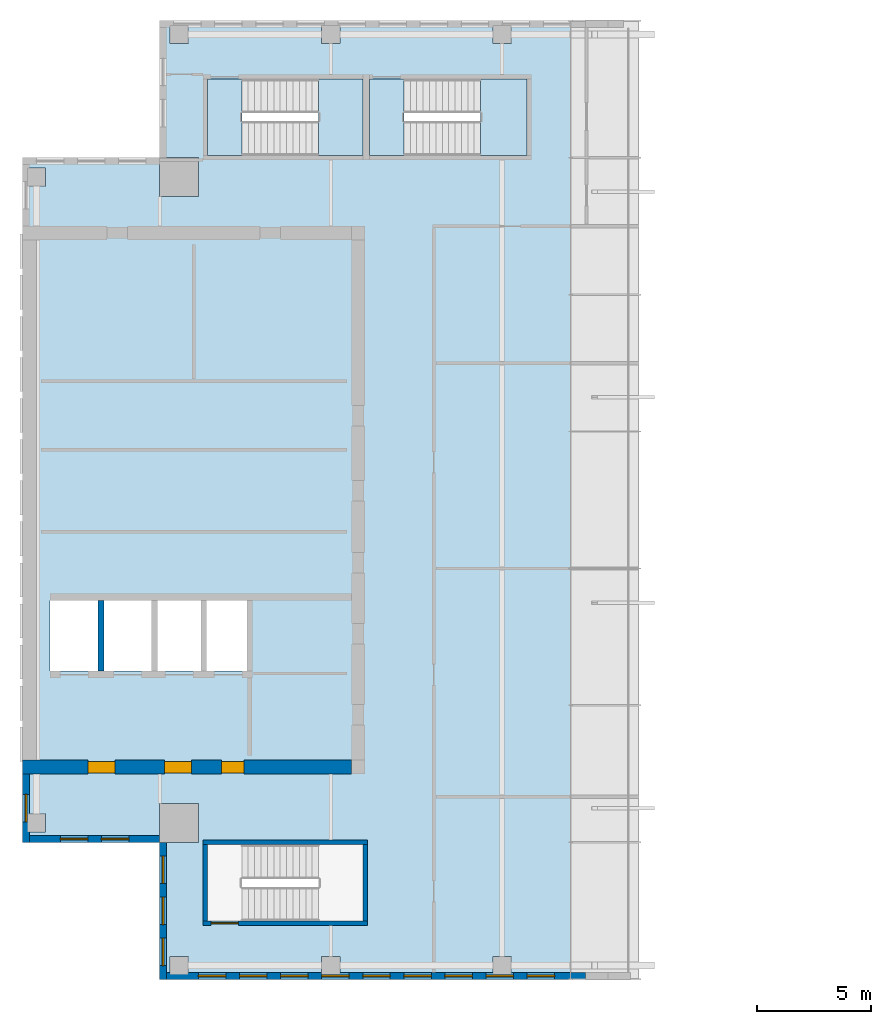
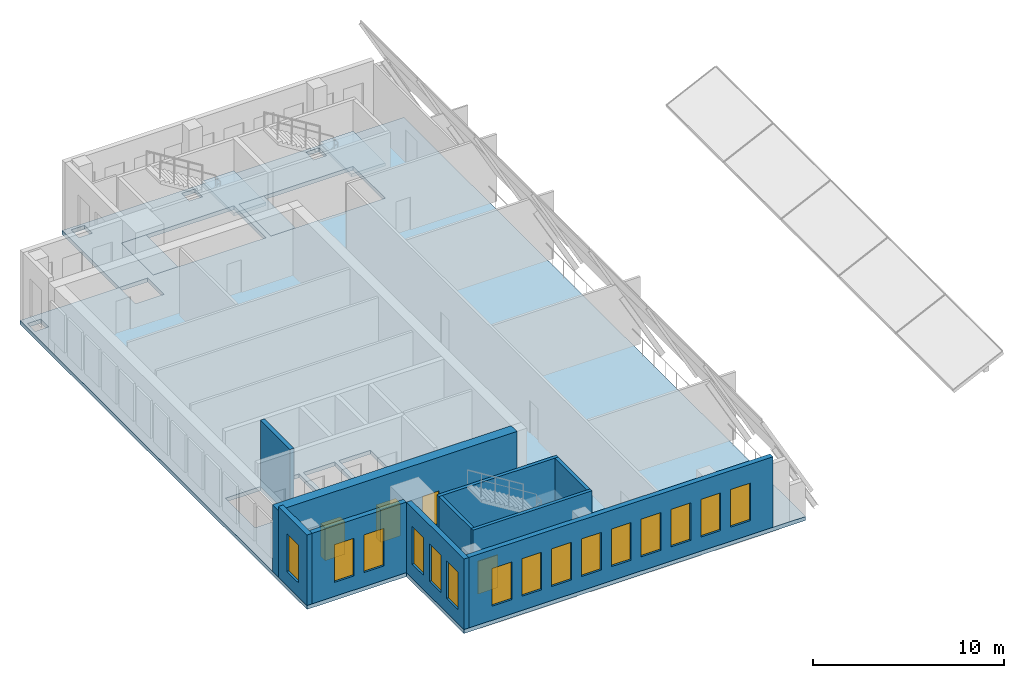
# One storey, part 3 of 7: 15 windows, 10 walls, 5 slabs, 4 doors, 19 openings, 2 elements without a shape of their own.
"""IFC4 building model written with IfcOpenShell, lengths in metres."""

from ifc_helpers import new_model, si_unit, direction, frame, frame_2d, origin, place, context, subcontext, project, spatial, polyline, rectangle, outline, extrude, source, transform, mapped, material, layer, layer_set, type_object, element, fill, aggregate, save


model = new_model("IFC4")

# Units and contexts
model_context = context("Model", 3, precision=1e-05, world=origin(), true_north=direction((0.0, 1.0)))
body_context = subcontext(model_context, "Body", "Model", "MODEL_VIEW")
ifc_project = project(units=[si_unit("LENGTHUNIT", "METRE"), si_unit("AREAUNIT", "SQUARE_METRE"), si_unit("VOLUMEUNIT", "CUBIC_METRE"), si_unit("PLANEANGLEUNIT", "RADIAN"), si_unit("MASSUNIT", "GRAM", prefix="KILO")], contexts=[model_context])

# Site, building, storey
site_placement = place(None, origin())
site = spatial("IfcSite", under=ifc_project, at=site_placement, CompositionType="ELEMENT")
building_placement = place(site_placement, origin())
building = spatial("IfcBuilding", under=site, at=building_placement, Name="Khomas Fold Tower", CompositionType="ELEMENT")
storey_placement = place(building_placement, frame((0.0, 0.0, 339.199951171875)))
storey = spatial("IfcBuildingStorey", under=building, at=storey_placement, Name="C3", CompositionType="ELEMENT", Elevation=339.199951171875)

# Slab
ifc_material_1 = material(Name="Concrete C40/50", Category="concrete")
ifc_layer_1 = layer(ifc_material_1, 0.25)
ifc_layer_set_1 = layer_set([ifc_layer_1], Name="Concrete C40/50")
slab_type_1 = type_object("IfcSlabType", Name="RC floor slab 250", PredefinedType="FLOOR", material=ifc_layer_set_1)
shared_shape_1 = source(origin(), body_context, "Body", "SweptSolid", [
    extrude(outline(polyline([(6.0, 12.0), (11.9951171875, 12.0), (11.9951171875, 13.705078125), (13.705078125, 13.705078125), (13.705078125, 11.9951171875), (12.0, 11.9951171875), (12.0, 6.0), (32.626708984375, 6.0), (32.626708984375, 48.0), (12.0, 48.0), (12.0, 42.0048828125), (13.705078125, 42.0048828125), (13.705078125, 40.294921875), (11.9951171875, 40.294921875), (11.9951171875, 42.0), (6.0, 42.0), (6.0, 12.0)]), holes=[polyline([(6.195068359375, 12.445068359375), (6.195068359375, 13.2548828125), (7.0048828125, 13.2548828125), (7.0048828125, 12.445068359375), (6.195068359375, 12.445068359375)]), polyline([(6.195068359375, 40.7451171875), (6.195068359375, 41.554931640625), (7.0048828125, 41.554931640625), (7.0048828125, 40.7451171875), (6.195068359375, 40.7451171875)]), polyline([(7.199951171875, 19.5), (7.199951171875, 22.60009765625), (9.300048828125, 22.60009765625), (9.300048828125, 19.5), (7.199951171875, 19.5)]), polyline([(9.550048828125, 19.5), (9.550048828125, 22.60009765625), (11.64990234375, 22.60009765625), (11.64990234375, 19.5), (9.550048828125, 19.5)]), polyline([(11.89990234375, 19.5), (11.89990234375, 22.60009765625), (13.800048828125, 22.60009765625), (13.800048828125, 19.5), (11.89990234375, 19.5)]), polyline([(12.445068359375, 6.195068359375), (12.445068359375, 7.0048828125), (13.2548828125, 7.0048828125), (13.2548828125, 6.195068359375), (12.445068359375, 6.195068359375)]), polyline([(12.445068359375, 46.9951171875), (12.445068359375, 47.804931640625), (13.2548828125, 47.804931640625), (13.2548828125, 46.9951171875), (12.445068359375, 46.9951171875)]), polyline([(14.050048828125, 19.5), (14.050048828125, 22.60009765625), (15.949951171875, 22.60009765625), (15.949951171875, 19.5), (14.050048828125, 19.5)]), polyline([(14.10009765625, 8.550048828125), (14.10009765625, 11.89990234375), (20.89990234375, 11.89990234375), (20.89990234375, 8.550048828125), (14.10009765625, 8.550048828125)]), polyline([(14.10009765625, 42.10009765625), (14.10009765625, 45.449951171875), (20.89990234375, 45.449951171875), (20.89990234375, 42.10009765625), (14.10009765625, 42.10009765625)]), polyline([(19.094970703125, 6.195068359375), (19.094970703125, 7.0048828125), (19.905029296875, 7.0048828125), (19.905029296875, 6.195068359375), (19.094970703125, 6.195068359375)]), polyline([(19.094970703125, 46.9951171875), (19.094970703125, 47.804931640625), (19.905029296875, 47.804931640625), (19.905029296875, 46.9951171875), (19.094970703125, 46.9951171875)]), polyline([(21.199951171875, 42.10009765625), (21.199951171875, 45.449951171875), (28.10009765625, 45.449951171875), (28.10009765625, 42.10009765625), (21.199951171875, 42.10009765625)]), polyline([(26.594970703125, 6.195068359375), (26.594970703125, 7.0048828125), (27.405029296875, 7.0048828125), (27.405029296875, 6.195068359375), (26.594970703125, 6.195068359375)]), polyline([(26.594970703125, 46.9951171875), (26.594970703125, 47.804931640625), (27.405029296875, 47.804931640625), (27.405029296875, 46.9951171875), (26.594970703125, 46.9951171875)])]), origin(), (0.0, 0.0, 1.0), 0.25),
])
slab_1_placement = place(storey_placement, frame((0.0, 0.0, -0.25)))
element("IfcSlab", 1, at=slab_1_placement, inside=storey, type_object=slab_type_1, Name="S-C3", PredefinedType="FLOOR", context=body_context, shape_type="MappedRepresentation", body=[
    mapped(shared_shape_1, transform((0.0, 0.0, 0.0))),
])

# Stair, slab
ifc_material_2 = material(Name="Concrete C40/50", Category="concrete")
stair_type_1 = type_object("IfcStairType", Name="Stair ST1", PredefinedType="HALF_TURN_STAIR", material=ifc_material_2)
stair_1_placement = place(storey_placement, origin())
stair_1 = element("IfcStair", 2, at=stair_1_placement, inside=storey, type_object=stair_type_1, Name="C3 ST1", PredefinedType="HALF_TURN_STAIR")
ifc_material_3 = material(Name="Concrete C40/50", Category="concrete")
ifc_layer_2 = layer(ifc_material_3, 0.199951171875)
ifc_layer_set_2 = layer_set([ifc_layer_2], Name="Concrete C40/50")
slab_type_2 = type_object("IfcSlabType", Name="Stair landing 200", PredefinedType="LANDING", material=ifc_layer_set_2)
shared_shape_2 = source(origin(), body_context, "Body", "SweptSolid", [
    extrude(outline(polyline([(18.9599609375, 42.10009765625), (20.89990234375, 42.10009765625), (20.89990234375, 45.449951171875), (18.9599609375, 45.449951171875), (18.9599609375, 42.10009765625)])), origin(), (0.0, 0.0, 1.0), 0.199951171875),
])
slab_2_placement = place(storey_placement, frame((0.0, 0.0, 2.050048828125)))
slab_2 = element("IfcSlab", 3, at=slab_2_placement, type_object=slab_type_2, Name="ST1 landing 1", PredefinedType="LANDING", context=body_context, shape_type="MappedRepresentation", body=[
    mapped(shared_shape_2, transform((0.0, 0.0, 0.0))),
])
aggregate(stair_1, [slab_2])

# Slab
ifc_material_4 = material(Name="Concrete C40/50", Category="concrete")
ifc_layer_3 = layer(ifc_material_4, 0.25)
ifc_layer_set_3 = layer_set([ifc_layer_3], Name="Concrete C40/50")
slab_type_3 = type_object("IfcSlabType", Name="Stair floor landing 250", PredefinedType="LANDING", material=ifc_layer_set_3)
shared_shape_3 = source(origin(), body_context, "Body", "SweptSolid", [
    extrude(outline(polyline([(14.10009765625, 45.449951171875), (15.60009765625, 45.449951171875), (15.60009765625, 42.10009765625), (14.10009765625, 42.10009765625), (14.10009765625, 45.449951171875)])), origin(), (0.0, 0.0, 1.0), 0.25),
])
slab_3_placement = place(storey_placement, frame((0.0, 0.0, -0.25)))
element("IfcSlab", 4, at=slab_3_placement, inside=storey, type_object=slab_type_3, Name="ST1 floor landing", PredefinedType="LANDING", context=body_context, shape_type="MappedRepresentation", body=[
    mapped(shared_shape_3, transform((0.0, 0.0, 0.0))),
])

# Stair, slab
ifc_material_5 = material(Name="Concrete C40/50", Category="concrete")
stair_type_2 = type_object("IfcStairType", Name="Stair ST3", PredefinedType="HALF_TURN_STAIR", material=ifc_material_5)
stair_2_placement = place(storey_placement, origin())
stair_2 = element("IfcStair", 5, at=stair_2_placement, inside=storey, type_object=stair_type_2, Name="C3 ST3", PredefinedType="HALF_TURN_STAIR")
shared_shape_4 = source(origin(), body_context, "Body", "SweptSolid", [
    extrude(outline(polyline([(26.06005859375, 42.10009765625), (28.10009765625, 42.10009765625), (28.10009765625, 45.449951171875), (26.06005859375, 45.449951171875), (26.06005859375, 42.10009765625)])), origin(), (0.0, 0.0, 1.0), 0.199951171875),
])
slab_4_placement = place(storey_placement, frame((0.0, 0.0, 2.050048828125)))
slab_4 = element("IfcSlab", 6, at=slab_4_placement, type_object=slab_type_2, Name="ST3 landing 1", PredefinedType="LANDING", context=body_context, shape_type="MappedRepresentation", body=[
    mapped(shared_shape_4, transform((0.0, 0.0, 0.0))),
])
aggregate(stair_2, [slab_4])

# Slab
shared_shape_5 = source(origin(), body_context, "Body", "SweptSolid", [
    extrude(outline(polyline([(21.199951171875, 45.449951171875), (22.699951171875, 45.449951171875), (22.699951171875, 42.10009765625), (21.199951171875, 42.10009765625), (21.199951171875, 45.449951171875)])), origin(), (0.0, 0.0, 1.0), 0.25),
])
slab_5_placement = place(storey_placement, frame((0.0, 0.0, -0.25)))
element("IfcSlab", 7, at=slab_5_placement, inside=storey, type_object=slab_type_3, Name="ST3 floor landing", PredefinedType="LANDING", context=body_context, shape_type="MappedRepresentation", body=[
    mapped(shared_shape_5, transform((0.0, 0.0, 0.0))),
])

# Wall, openings, doors
ifc_material_6 = material(Name="Concrete C50/60", Category="concrete")
ifc_layer_4 = layer(ifc_material_6, 0.60009765625)
ifc_layer_set_4 = layer_set([ifc_layer_4], Name="Concrete C50/60")
wall_type_1 = type_object("IfcWallType", Name="Core wall 600", PredefinedType="SHEAR", material=ifc_layer_set_4)
shared_shape_6 = source(origin(), body_context, "Body", "SweptSolid", [
    extrude(rectangle(XDim=14.39990234375, YDim=0.60009765625, at=frame_2d((7.199951171875, 0.0))), origin(), (0.0, 0.0, 1.0), 4.25),
])
wall_1_placement = place(storey_placement, frame((6.0, 15.300048828125, 0.0), z_axis=(0.0, 0.0, 1.0), x_axis=(1.0, 0.0, 0.0)))
wall_1 = element("IfcWall", 8, at=wall_1_placement, inside=storey, type_object=wall_type_1, Name="Core wall CW-U-S-L63", PredefinedType="SHEAR", context=body_context, shape_type="MappedRepresentation", body=[
    mapped(shared_shape_6, transform((0.0, 0.0, 0.0))),
])
shared_shape_7 = source(origin(), body_context, "Body", "SweptSolid", [
    extrude(rectangle(XDim=1.199951171875, YDim=2.10009765625, at=frame_2d((0.60009765625, 1.050048828125))), frame((0.0, 0.31005859375, 0.0), z_axis=(0.0, -1.0, 0.0), x_axis=(1.0, 0.0, 0.0)), (0.0, 0.0, 1.0), 0.6201171875),
])
opening_1_placement = place(wall_1_placement, frame((6.199951171875, 0.0, 0.0)))
opening_1 = element("IfcOpeningElement", 9, at=opening_1_placement, cuts=wall_1, Name="Opening 0009", PredefinedType="OPENING", context=body_context, shape_type="MappedRepresentation", body=[
    mapped(shared_shape_7, transform((0.0, 0.0, 0.0))),
])
opening_2_placement = place(wall_1_placement, frame((2.85009765625, 0.0, 0.0)))
opening_2 = element("IfcOpeningElement", 10, at=opening_2_placement, cuts=wall_1, Name="Opening 0009", PredefinedType="OPENING", context=body_context, shape_type="MappedRepresentation", body=[
    mapped(shared_shape_7, transform((0.0, 0.0, 0.0))),
])
shared_shape_8 = source(origin(), body_context, "Body", "SweptSolid", [
    extrude(rectangle(XDim=1.0, YDim=2.10009765625, at=frame_2d((0.5, 1.050048828125))), frame((0.0, 0.31005859375, 0.0), z_axis=(0.0, -1.0, 0.0), x_axis=(1.0, 0.0, 0.0)), (0.0, 0.0, 1.0), 0.6201171875),
])
opening_3_placement = place(wall_1_placement, frame((8.699951171875, 0.0, 0.0)))
opening_3 = element("IfcOpeningElement", 11, at=opening_3_placement, cuts=wall_1, Name="Opening 0010", PredefinedType="OPENING", context=body_context, shape_type="MappedRepresentation", body=[
    mapped(shared_shape_8, transform((0.0, 0.0, 0.0))),
])
ifc_material_7 = material(Name="Steel door leaf", Category="steel")
door_type_1 = type_object("IfcDoorType", Name="Stair door 1000x2100 right-hand", OperationType="SINGLE_SWING_RIGHT", PredefinedType="DOOR", material=ifc_material_7)
shared_shape_9 = source(origin(), body_context, "Body", "SweptSolid", [
    extrude(rectangle(XDim=1.0, YDim=2.10009765625, at=frame_2d((0.5, 1.050048828125))), frame((0.0, 0.25, 0.0), z_axis=(0.0, -1.0, 0.0), x_axis=(1.0, 0.0, 0.0)), (0.0, 0.0, 1.0), 0.5),
])
door_1_placement = place(opening_3_placement, origin())
door_1 = element("IfcDoor", 12, at=door_1_placement, inside=storey, type_object=door_type_1, Name="Stair door", OperationType="SINGLE_SWING_RIGHT", OverallHeight=2.10009765625, OverallWidth=1.0, PredefinedType="DOOR", context=body_context, shape_type="MappedRepresentation", body=[
    mapped(shared_shape_9, transform((0.0, 0.0, 0.0))),
])
fill(opening_3, door_1)
ifc_material_8 = material(Name="Steel door leaf", Category="steel")
door_type_2 = type_object("IfcDoorType", Name="Lobby door 1200x2100 right-hand", OperationType="SINGLE_SWING_RIGHT", PredefinedType="DOOR", material=ifc_material_8)
shared_shape_10 = source(origin(), body_context, "Body", "SweptSolid", [
    extrude(rectangle(XDim=1.199951171875, YDim=2.10009765625, at=frame_2d((0.60009765625, 1.050048828125))), frame((0.0, 0.25, 0.0), z_axis=(0.0, -1.0, 0.0), x_axis=(1.0, 0.0, 0.0)), (0.0, 0.0, 1.0), 0.5),
])
door_2_placement = place(opening_1_placement, origin())
door_2 = element("IfcDoor", 13, at=door_2_placement, inside=storey, type_object=door_type_2, Name="Lobby door", OperationType="SINGLE_SWING_RIGHT", OverallHeight=2.10009765625, OverallWidth=1.199951171875, PredefinedType="DOOR", context=body_context, shape_type="MappedRepresentation", body=[
    mapped(shared_shape_10, transform((0.0, 0.0, 0.0))),
])
fill(opening_1, door_2)
door_3_placement = place(opening_2_placement, origin())
door_3 = element("IfcDoor", 14, at=door_3_placement, inside=storey, type_object=door_type_2, Name="Lobby door", OperationType="SINGLE_SWING_RIGHT", OverallHeight=2.10009765625, OverallWidth=1.199951171875, PredefinedType="DOOR", context=body_context, shape_type="MappedRepresentation", body=[
    mapped(shared_shape_10, transform((0.0, 0.0, 0.0))),
])
fill(opening_2, door_3)

# Wall
ifc_material_9 = material(Name="Concrete C50/60", Category="concrete")
ifc_layer_5 = layer(ifc_material_9, 0.199951171875)
ifc_layer_set_5 = layer_set([ifc_layer_5], Name="Concrete C50/60")
wall_type_2 = type_object("IfcWallType", Name="Stair wall 200", PredefinedType="SHEAR", material=ifc_layer_set_5)
shared_shape_11 = source(origin(), body_context, "Body", "SweptSolid", [
    extrude(rectangle(XDim=7.2001953125, YDim=0.199951171875, at=frame_2d((3.60009765625, 0.0))), origin(), (0.0, 0.0, 1.0), 4.25),
])
wall_2_placement = place(storey_placement, frame((13.89990234375, 12.0, 0.0), z_axis=(0.0, 0.0, 1.0), x_axis=(1.0, 0.0, 0.0)))
element("IfcWall", 15, at=wall_2_placement, inside=storey, type_object=wall_type_2, Name="Stair wall SW-ST2-NH", PredefinedType="SHEAR", context=body_context, shape_type="MappedRepresentation", body=[
    mapped(shared_shape_11, transform((0.0, 0.0, 0.0))),
])

# Wall, opening, door
wall_3_placement = place(storey_placement, frame((13.89990234375, 8.449951171875, 0.0), z_axis=(0.0, 0.0, 1.0), x_axis=(1.0, 0.0, 0.0)))
wall_3 = element("IfcWall", 16, at=wall_3_placement, inside=storey, type_object=wall_type_2, Name="Stair wall SW-ST2-S", PredefinedType="SHEAR", context=body_context, shape_type="MappedRepresentation", body=[
    mapped(shared_shape_11, transform((0.0, 0.0, 0.0))),
])
shared_shape_12 = source(origin(), body_context, "Body", "SweptSolid", [
    extrude(rectangle(XDim=1.199951171875, YDim=2.10009765625, at=frame_2d((0.60009765625, 1.050048828125))), frame((0.0, 0.10986328125, 0.0), z_axis=(0.0, -1.0, 0.0), x_axis=(1.0, 0.0, 0.0)), (0.0, 0.0, 1.0), 0.219970703125),
])
opening_4_placement = place(wall_3_placement, frame((0.35009765625, 0.0, 0.0)))
opening_4 = element("IfcOpeningElement", 17, at=opening_4_placement, cuts=wall_3, Name="Opening SD-ST2", PredefinedType="OPENING", context=body_context, shape_type="MappedRepresentation", body=[
    mapped(shared_shape_12, transform((0.0, 0.0, 0.0))),
])
ifc_material_10 = material(Name="Steel door leaf", Category="steel")
door_type_3 = type_object("IfcDoorType", Name="Stair door 1200x2100 right-hand", OperationType="SINGLE_SWING_RIGHT", PredefinedType="DOOR", material=ifc_material_10)
shared_shape_13 = source(origin(), body_context, "Body", "SweptSolid", [
    extrude(rectangle(XDim=1.199951171875, YDim=2.10009765625, at=frame_2d((0.60009765625, 1.050048828125))), frame((0.0, 0.02490234375, 0.0), z_axis=(0.0, -1.0, 0.0), x_axis=(1.0, 0.0, 0.0)), (0.0, 0.0, 1.0), 0.050048828125),
])
door_4_placement = place(opening_4_placement, origin())
door_4 = element("IfcDoor", 18, at=door_4_placement, inside=storey, type_object=door_type_3, Name="Stair door", OperationType="SINGLE_SWING_RIGHT", OverallHeight=2.10009765625, OverallWidth=1.199951171875, PredefinedType="DOOR", context=body_context, shape_type="MappedRepresentation", body=[
    mapped(shared_shape_13, transform((0.0, 0.0, 0.0))),
])
fill(opening_4, door_4)

# Walls
shared_shape_14 = source(origin(), body_context, "Body", "SweptSolid", [
    extrude(rectangle(XDim=3.349853515625, YDim=0.199951171875, at=frame_2d((1.6748046875, 0.0))), origin(), (0.0, 0.0, 1.0), 4.25),
])
for number, where, z_axis, x_axis, name in (
    (19, (21.0, 8.550048828125, 0.0), (0.0, 0.0, 1.0), (0.0, 1.0, 0.0), "Stair wall SW-ST2-E"),
    (20, (14.0, 8.550048828125, 0.0), (0.0, 0.0, 1.0), (0.0, 1.0, 0.0), "Stair wall SW-ST2-W"),
):
    element("IfcWall", number, at=place(storey_placement, frame(where, z_axis=z_axis, x_axis=x_axis)), inside=storey, type_object=wall_type_2, Name=name, PredefinedType="SHEAR", context=body_context, shape_type="MappedRepresentation", body=[
        mapped(shared_shape_14, transform((0.0, 0.0, 0.0))),
    ])
ifc_material_11 = material(Name="Concrete C50/60", Category="concrete")
ifc_layer_6 = layer(ifc_material_11, 0.25)
ifc_layer_set_6 = layer_set([ifc_layer_6], Name="Concrete C50/60")
wall_type_3 = type_object("IfcWallType", Name="Shaft wall 250", PredefinedType="STANDARD", material=ifc_layer_set_6)
shared_shape_15 = source(origin(), body_context, "Body", "SweptSolid", [
    extrude(rectangle(XDim=3.10009765625, YDim=0.25, at=frame_2d((1.550048828125, 0.0))), origin(), (0.0, 0.0, 1.0), 4.25),
])
wall_4_placement = place(storey_placement, frame((9.425048828125, 19.5, 0.0), z_axis=(0.0, 0.0, 1.0), x_axis=(0.0, 1.0, 0.0)))
element("IfcWall", 21, at=wall_4_placement, inside=storey, type_object=wall_type_3, Name="Core wall SW-FS-P1", PredefinedType="STANDARD", context=body_context, shape_type="MappedRepresentation", body=[
    mapped(shared_shape_15, transform((0.0, 0.0, 0.0))),
])

# Wall, openings, windows
ifc_material_12 = material(Name="Concrete C40/50", Category="concrete")
ifc_layer_7 = layer(ifc_material_12, 0.300048828125)
ifc_layer_set_7 = layer_set([ifc_layer_7], Name="Concrete C40/50")
wall_type_4 = type_object("IfcWallType", Name="Crown gable wall 300 CR-GW1", PredefinedType="SOLIDWALL", material=ifc_layer_set_7)
shared_shape_16 = source(origin(), body_context, "Body", "SweptSolid", [
    extrude(rectangle(XDim=5.699951171875, YDim=0.300048828125, at=frame_2d((2.85009765625, 0.0))), origin(), (0.0, 0.0, 1.0), 4.5),
])
wall_5_placement = place(storey_placement, frame((6.300048828125, 12.14990234375, 0.0), z_axis=(0.0, 0.0, 1.0), x_axis=(1.0, 0.0, 0.0)))
wall_5 = element("IfcWall", 22, at=wall_5_placement, inside=storey, type_object=wall_type_4, Name="Crown wall", PredefinedType="SOLIDWALL", context=body_context, shape_type="MappedRepresentation", body=[
    mapped(shared_shape_16, transform((0.0, 0.0, 0.0))),
])
shared_shape_17 = source(origin(), body_context, "Body", "SweptSolid", [
    extrude(rectangle(XDim=1.199951171875, YDim=2.39990234375, at=frame_2d((0.60009765625, 1.199951171875))), frame((0.0, 0.159912109375, 0.0), z_axis=(0.0, -1.0, 0.0), x_axis=(1.0, 0.0, 0.0)), (0.0, 0.0, 1.0), 0.320068359375),
])
opening_5_placement = place(wall_5_placement, frame((1.35009765625, 0.0, 0.89990234375)))
opening_5 = element("IfcOpeningElement", 23, at=opening_5_placement, cuts=wall_5, Name="Opening CR-LV", PredefinedType="OPENING", context=body_context, shape_type="MappedRepresentation", body=[
    mapped(shared_shape_17, transform((0.0, 0.0, 0.0))),
])
opening_6_placement = place(wall_5_placement, frame((3.14990234375, 0.0, 0.89990234375)))
opening_6 = element("IfcOpeningElement", 24, at=opening_6_placement, cuts=wall_5, Name="Opening CR-LV", PredefinedType="OPENING", context=body_context, shape_type="MappedRepresentation", body=[
    mapped(shared_shape_17, transform((0.0, 0.0, 0.0))),
])
ifc_material_13 = material(Name="Aluminium louvre", Category="aluminium")
window_type = type_object("IfcWindowType", Name="Crown plant louvre 1200 x 2400", PartitioningType="SINGLE_PANEL", PredefinedType="WINDOW", material=ifc_material_13)
shared_shape_18 = source(origin(), body_context, "Body", "SweptSolid", [
    extrude(rectangle(XDim=1.199951171875, YDim=2.39990234375, at=frame_2d((0.60009765625, 1.199951171875))), frame((0.0, 0.030029296875, 0.0), z_axis=(0.0, -1.0, 0.0), x_axis=(1.0, 0.0, 0.0)), (0.0, 0.0, 1.0), 0.06005859375),
])
window_1_placement = place(opening_5_placement, origin())
window_1 = element("IfcWindow", 25, at=window_1_placement, inside=storey, type_object=window_type, Name="Crown plant louvre", OverallHeight=2.39990234375, OverallWidth=1.199951171875, PartitioningType="SINGLE_PANEL", PredefinedType="WINDOW", context=body_context, shape_type="MappedRepresentation", body=[
    mapped(shared_shape_18, transform((0.0, 0.0, 0.0))),
])
fill(opening_5, window_1)
window_2_placement = place(opening_6_placement, origin())
window_2 = element("IfcWindow", 26, at=window_2_placement, inside=storey, type_object=window_type, Name="Crown plant louvre", OverallHeight=2.39990234375, OverallWidth=1.199951171875, PartitioningType="SINGLE_PANEL", PredefinedType="WINDOW", context=body_context, shape_type="MappedRepresentation", body=[
    mapped(shared_shape_18, transform((0.0, 0.0, 0.0))),
])
fill(opening_6, window_2)

shared_shape_19 = source(origin(), body_context, "Body", "SweptSolid", [
    extrude(rectangle(XDim=6.0, YDim=0.300048828125, at=frame_2d((3.0, 0.0))), origin(), (0.0, 0.0, 1.0), 4.5),
])
wall_6_placement = place(storey_placement, frame((12.14990234375, 12.0, 0.0), z_axis=(0.0, 0.0, 1.0), x_axis=(0.0, -1.0, 0.0)))
wall_6 = element("IfcWall", 27, at=wall_6_placement, inside=storey, type_object=wall_type_4, Name="Crown wall", PredefinedType="SOLIDWALL", context=body_context, shape_type="MappedRepresentation", body=[
    mapped(shared_shape_19, transform((0.0, 0.0, 0.0))),
])
opening_7_placement = place(wall_6_placement, frame((0.60009765625, 0.0, 0.89990234375)))
opening_7 = element("IfcOpeningElement", 28, at=opening_7_placement, cuts=wall_6, Name="Opening CR-LV", PredefinedType="OPENING", context=body_context, shape_type="MappedRepresentation", body=[
    mapped(shared_shape_17, transform((0.0, 0.0, 0.0))),
])
opening_8_placement = place(wall_6_placement, frame((2.39990234375, 0.0, 0.89990234375)))
opening_8 = element("IfcOpeningElement", 29, at=opening_8_placement, cuts=wall_6, Name="Opening CR-LV", PredefinedType="OPENING", context=body_context, shape_type="MappedRepresentation", body=[
    mapped(shared_shape_17, transform((0.0, 0.0, 0.0))),
])
opening_9_placement = place(wall_6_placement, frame((4.199951171875, 0.0, 0.89990234375)))
opening_9 = element("IfcOpeningElement", 30, at=opening_9_placement, cuts=wall_6, Name="Opening CR-LV", PredefinedType="OPENING", context=body_context, shape_type="MappedRepresentation", body=[
    mapped(shared_shape_17, transform((0.0, 0.0, 0.0))),
])
window_3_placement = place(opening_7_placement, origin())
window_3 = element("IfcWindow", 31, at=window_3_placement, inside=storey, type_object=window_type, Name="Crown plant louvre", OverallHeight=2.39990234375, OverallWidth=1.199951171875, PartitioningType="SINGLE_PANEL", PredefinedType="WINDOW", context=body_context, shape_type="MappedRepresentation", body=[
    mapped(shared_shape_18, transform((0.0, 0.0, 0.0))),
])
fill(opening_7, window_3)
window_4_placement = place(opening_8_placement, origin())
window_4 = element("IfcWindow", 32, at=window_4_placement, inside=storey, type_object=window_type, Name="Crown plant louvre", OverallHeight=2.39990234375, OverallWidth=1.199951171875, PartitioningType="SINGLE_PANEL", PredefinedType="WINDOW", context=body_context, shape_type="MappedRepresentation", body=[
    mapped(shared_shape_18, transform((0.0, 0.0, 0.0))),
])
fill(opening_8, window_4)
window_5_placement = place(opening_9_placement, origin())
window_5 = element("IfcWindow", 33, at=window_5_placement, inside=storey, type_object=window_type, Name="Crown plant louvre", OverallHeight=2.39990234375, OverallWidth=1.199951171875, PartitioningType="SINGLE_PANEL", PredefinedType="WINDOW", context=body_context, shape_type="MappedRepresentation", body=[
    mapped(shared_shape_18, transform((0.0, 0.0, 0.0))),
])
fill(opening_9, window_5)

# Wall, opening, window
shared_shape_20 = source(origin(), body_context, "Body", "SweptSolid", [
    extrude(rectangle(XDim=3.0, YDim=0.300048828125, at=frame_2d((1.5, 0.0))), origin(), (0.0, 0.0, 1.0), 4.5),
])
wall_7_placement = place(storey_placement, frame((6.14990234375, 15.0, 0.0), z_axis=(0.0, 0.0, 1.0), x_axis=(0.0, -1.0, 0.0)))
wall_7 = element("IfcWall", 34, at=wall_7_placement, inside=storey, type_object=wall_type_4, Name="Crown wall", PredefinedType="SOLIDWALL", context=body_context, shape_type="MappedRepresentation", body=[
    mapped(shared_shape_20, transform((0.0, 0.0, 0.0))),
])
opening_10_placement = place(wall_7_placement, frame((0.89990234375, 0.0, 0.89990234375)))
opening_10 = element("IfcOpeningElement", 35, at=opening_10_placement, cuts=wall_7, Name="Opening CR-LV", PredefinedType="OPENING", context=body_context, shape_type="MappedRepresentation", body=[
    mapped(shared_shape_17, transform((0.0, 0.0, 0.0))),
])
window_6_placement = place(opening_10_placement, origin())
window_6 = element("IfcWindow", 36, at=window_6_placement, inside=storey, type_object=window_type, Name="Crown plant louvre", OverallHeight=2.39990234375, OverallWidth=1.199951171875, PartitioningType="SINGLE_PANEL", PredefinedType="WINDOW", context=body_context, shape_type="MappedRepresentation", body=[
    mapped(shared_shape_18, transform((0.0, 0.0, 0.0))),
])
fill(opening_10, window_6)

# Wall, openings, windows
shared_shape_21 = source(origin(), body_context, "Body", "SweptSolid", [
    extrude(rectangle(XDim=18.3623046875, YDim=0.300048828125, at=frame_2d((9.18115234375, 0.0))), origin(), (0.0, 0.0, 1.0), 4.5),
])
wall_8_placement = place(storey_placement, frame((12.300048828125, 6.14990234375, 0.0), z_axis=(0.0, 0.0, 1.0), x_axis=(1.0, 0.0, 0.0)))
wall_8 = element("IfcWall", 37, at=wall_8_placement, inside=storey, type_object=wall_type_4, Name="Crown wall", PredefinedType="SOLIDWALL", context=body_context, shape_type="MappedRepresentation", body=[
    mapped(shared_shape_21, transform((0.0, 0.0, 0.0))),
])
opening_11_placement = place(wall_8_placement, frame((1.39990234375, 0.0, 0.89990234375)))
opening_11 = element("IfcOpeningElement", 38, at=opening_11_placement, cuts=wall_8, Name="Opening CR-LV", PredefinedType="OPENING", context=body_context, shape_type="MappedRepresentation", body=[
    mapped(shared_shape_17, transform((0.0, 0.0, 0.0))),
])
opening_12_placement = place(wall_8_placement, frame((3.199951171875, 0.0, 0.89990234375)))
opening_12 = element("IfcOpeningElement", 39, at=opening_12_placement, cuts=wall_8, Name="Opening CR-LV", PredefinedType="OPENING", context=body_context, shape_type="MappedRepresentation", body=[
    mapped(shared_shape_17, transform((0.0, 0.0, 0.0))),
])
opening_13_placement = place(wall_8_placement, frame((5.0, 0.0, 0.89990234375)))
opening_13 = element("IfcOpeningElement", 40, at=opening_13_placement, cuts=wall_8, Name="Opening CR-LV", PredefinedType="OPENING", context=body_context, shape_type="MappedRepresentation", body=[
    mapped(shared_shape_17, transform((0.0, 0.0, 0.0))),
])
opening_14_placement = place(wall_8_placement, frame((6.800048828125, 0.0, 0.89990234375)))
opening_14 = element("IfcOpeningElement", 41, at=opening_14_placement, cuts=wall_8, Name="Opening CR-LV", PredefinedType="OPENING", context=body_context, shape_type="MappedRepresentation", body=[
    mapped(shared_shape_17, transform((0.0, 0.0, 0.0))),
])
opening_15_placement = place(wall_8_placement, frame((8.60009765625, 0.0, 0.89990234375)))
opening_15 = element("IfcOpeningElement", 42, at=opening_15_placement, cuts=wall_8, Name="Opening CR-LV", PredefinedType="OPENING", context=body_context, shape_type="MappedRepresentation", body=[
    mapped(shared_shape_17, transform((0.0, 0.0, 0.0))),
])
opening_16_placement = place(wall_8_placement, frame((10.39990234375, 0.0, 0.89990234375)))
opening_16 = element("IfcOpeningElement", 43, at=opening_16_placement, cuts=wall_8, Name="Opening CR-LV", PredefinedType="OPENING", context=body_context, shape_type="MappedRepresentation", body=[
    mapped(shared_shape_17, transform((0.0, 0.0, 0.0))),
])
opening_17_placement = place(wall_8_placement, frame((12.199951171875, 0.0, 0.89990234375)))
opening_17 = element("IfcOpeningElement", 44, at=opening_17_placement, cuts=wall_8, Name="Opening CR-LV", PredefinedType="OPENING", context=body_context, shape_type="MappedRepresentation", body=[
    mapped(shared_shape_17, transform((0.0, 0.0, 0.0))),
])
opening_18_placement = place(wall_8_placement, frame((14.0, 0.0, 0.89990234375)))
opening_18 = element("IfcOpeningElement", 45, at=opening_18_placement, cuts=wall_8, Name="Opening CR-LV", PredefinedType="OPENING", context=body_context, shape_type="MappedRepresentation", body=[
    mapped(shared_shape_17, transform((0.0, 0.0, 0.0))),
])
opening_19_placement = place(wall_8_placement, frame((15.800048828125, 0.0, 0.89990234375)))
opening_19 = element("IfcOpeningElement", 46, at=opening_19_placement, cuts=wall_8, Name="Opening CR-LV", PredefinedType="OPENING", context=body_context, shape_type="MappedRepresentation", body=[
    mapped(shared_shape_17, transform((0.0, 0.0, 0.0))),
])
window_7_placement = place(opening_11_placement, origin())
window_7 = element("IfcWindow", 47, at=window_7_placement, inside=storey, type_object=window_type, Name="Crown plant louvre", OverallHeight=2.39990234375, OverallWidth=1.199951171875, PartitioningType="SINGLE_PANEL", PredefinedType="WINDOW", context=body_context, shape_type="MappedRepresentation", body=[
    mapped(shared_shape_18, transform((0.0, 0.0, 0.0))),
])
fill(opening_11, window_7)
window_8_placement = place(opening_12_placement, origin())
window_8 = element("IfcWindow", 48, at=window_8_placement, inside=storey, type_object=window_type, Name="Crown plant louvre", OverallHeight=2.39990234375, OverallWidth=1.199951171875, PartitioningType="SINGLE_PANEL", PredefinedType="WINDOW", context=body_context, shape_type="MappedRepresentation", body=[
    mapped(shared_shape_18, transform((0.0, 0.0, 0.0))),
])
fill(opening_12, window_8)
window_9_placement = place(opening_13_placement, origin())
window_9 = element("IfcWindow", 49, at=window_9_placement, inside=storey, type_object=window_type, Name="Crown plant louvre", OverallHeight=2.39990234375, OverallWidth=1.199951171875, PartitioningType="SINGLE_PANEL", PredefinedType="WINDOW", context=body_context, shape_type="MappedRepresentation", body=[
    mapped(shared_shape_18, transform((0.0, 0.0, 0.0))),
])
fill(opening_13, window_9)
window_10_placement = place(opening_14_placement, origin())
window_10 = element("IfcWindow", 50, at=window_10_placement, inside=storey, type_object=window_type, Name="Crown plant louvre", OverallHeight=2.39990234375, OverallWidth=1.199951171875, PartitioningType="SINGLE_PANEL", PredefinedType="WINDOW", context=body_context, shape_type="MappedRepresentation", body=[
    mapped(shared_shape_18, transform((0.0, 0.0, 0.0))),
])
fill(opening_14, window_10)
window_11_placement = place(opening_15_placement, origin())
window_11 = element("IfcWindow", 51, at=window_11_placement, inside=storey, type_object=window_type, Name="Crown plant louvre", OverallHeight=2.39990234375, OverallWidth=1.199951171875, PartitioningType="SINGLE_PANEL", PredefinedType="WINDOW", context=body_context, shape_type="MappedRepresentation", body=[
    mapped(shared_shape_18, transform((0.0, 0.0, 0.0))),
])
fill(opening_15, window_11)
window_12_placement = place(opening_16_placement, origin())
window_12 = element("IfcWindow", 52, at=window_12_placement, inside=storey, type_object=window_type, Name="Crown plant louvre", OverallHeight=2.39990234375, OverallWidth=1.199951171875, PartitioningType="SINGLE_PANEL", PredefinedType="WINDOW", context=body_context, shape_type="MappedRepresentation", body=[
    mapped(shared_shape_18, transform((0.0, 0.0, 0.0))),
])
fill(opening_16, window_12)
window_13_placement = place(opening_17_placement, origin())
window_13 = element("IfcWindow", 53, at=window_13_placement, inside=storey, type_object=window_type, Name="Crown plant louvre", OverallHeight=2.39990234375, OverallWidth=1.199951171875, PartitioningType="SINGLE_PANEL", PredefinedType="WINDOW", context=body_context, shape_type="MappedRepresentation", body=[
    mapped(shared_shape_18, transform((0.0, 0.0, 0.0))),
])
fill(opening_17, window_13)
window_14_placement = place(opening_18_placement, origin())
window_14 = element("IfcWindow", 54, at=window_14_placement, inside=storey, type_object=window_type, Name="Crown plant louvre", OverallHeight=2.39990234375, OverallWidth=1.199951171875, PartitioningType="SINGLE_PANEL", PredefinedType="WINDOW", context=body_context, shape_type="MappedRepresentation", body=[
    mapped(shared_shape_18, transform((0.0, 0.0, 0.0))),
])
fill(opening_18, window_14)
window_15_placement = place(opening_19_placement, origin())
window_15 = element("IfcWindow", 55, at=window_15_placement, inside=storey, type_object=window_type, Name="Crown plant louvre", OverallHeight=2.39990234375, OverallWidth=1.199951171875, PartitioningType="SINGLE_PANEL", PredefinedType="WINDOW", context=body_context, shape_type="MappedRepresentation", body=[
    mapped(shared_shape_18, transform((0.0, 0.0, 0.0))),
])
fill(opening_19, window_15)

save(model, "model.ifc")
